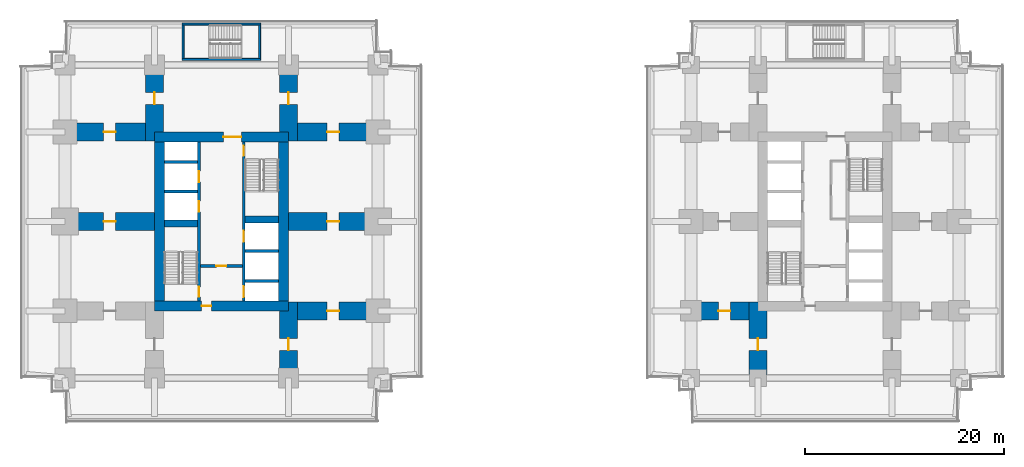
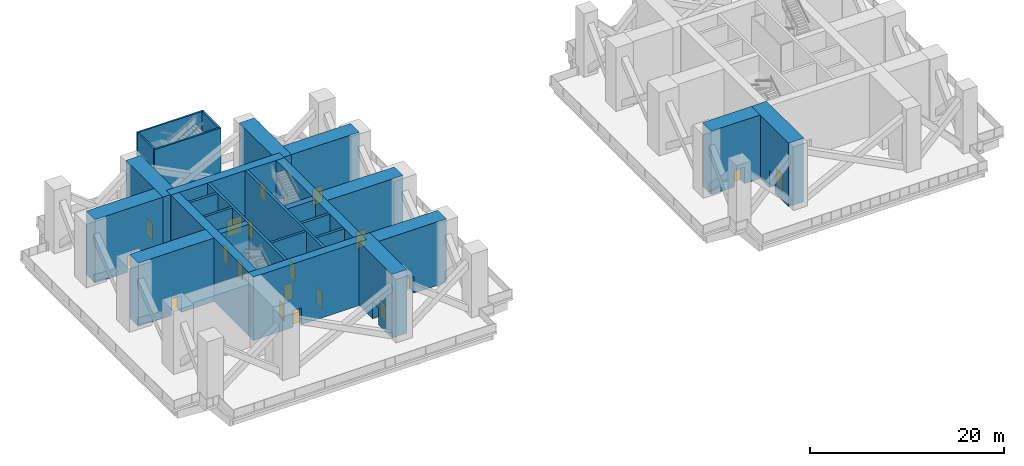
# One storey, part 4 of 12: 27 walls, 19 doors, 19 openings.
"""IFC4 building model written with IfcOpenShell, lengths in metres."""

from ifc_helpers import new_model, si_unit, direction, frame, frame_2d, origin, place, context, subcontext, project, spatial, rectangle, extrude, material, layer, layer_set, type_object, element, fill, save


model = new_model("IFC4")

# Units and contexts
model_context = context("Model", 3, precision=1e-05, world=origin(), true_north=direction((0.0, 1.0)))
body_context = subcontext(model_context, "Body", "Model", "MODEL_VIEW")
ifc_project = project(units=[si_unit("LENGTHUNIT", "METRE"), si_unit("AREAUNIT", "SQUARE_METRE"), si_unit("VOLUMEUNIT", "CUBIC_METRE"), si_unit("PLANEANGLEUNIT", "RADIAN"), si_unit("MASSUNIT", "GRAM", prefix="KILO")], contexts=[model_context])

# Site, building, storey
site_placement = place(None, origin())
site = spatial("IfcSite", under=ifc_project, at=site_placement, CompositionType="ELEMENT")
building_placement = place(site_placement, origin())
building = spatial("IfcBuilding", under=site, at=building_placement, Name="Namib Vertical Campus", CompositionType="ELEMENT")
storey_placement = place(building_placement, frame((0.0, 0.0, 77.0)))
storey = spatial("IfcBuildingStorey", under=building, at=storey_placement, Name="L18", CompositionType="ELEMENT", Elevation=77.0)

# Wall, openings, doors
ifc_material_1 = material(Name="Concrete C60/75", Category="concrete")
ifc_layer_1 = layer(ifc_material_1, 0.300048828125)
ifc_layer_set_1 = layer_set([ifc_layer_1], Name="Concrete C60/75")
wall_type_1 = type_object("IfcWallType", Name="Core inner wall 300", PredefinedType="SHEAR", material=ifc_layer_set_1)
wall_1_placement = place(storey_placement, frame((18.0, 12.25, 0.0), z_axis=(0.0, 0.0, 1.0), x_axis=(0.0, 1.0, 0.0)))
wall_1 = element("IfcWall", 1, at=wall_1_placement, inside=storey, type_object=wall_type_1, Name="Core inner wall A L18 W1", PredefinedType="SHEAR", context=body_context, shape_type="SweptSolid", body=[
    extrude(rectangle(XDim=16.0, YDim=0.300048828125, at=frame_2d((8.0, 0.0))), origin(), (0.0, 0.0, 1.0), 8.0),
])
opening_1_placement = place(wall_1_placement, frame((0.39990234375, 0.0, 0.0)))
opening_1 = element("IfcOpeningElement", 2, at=opening_1_placement, cuts=wall_1, Name="Opening FD1", PredefinedType="OPENING", context=body_context, shape_type="SweptSolid", body=[
    extrude(rectangle(XDim=1.0, YDim=2.10009765625, at=frame_2d((0.5, 1.050048828125))), frame((0.0, 0.159912109375, 0.0), z_axis=(0.0, -1.0, 0.0), x_axis=(1.0, 0.0, 0.0)), (0.0, 0.0, 1.0), 0.320068359375),
])
opening_2_placement = place(wall_1_placement, frame((8.949951171875, 0.0, 0.0)))
opening_2 = element("IfcOpeningElement", 3, at=opening_2_placement, cuts=wall_1, Name="Opening LD1", PredefinedType="OPENING", context=body_context, shape_type="SweptSolid", body=[
    extrude(rectangle(XDim=1.10009765625, YDim=2.10009765625, at=frame_2d((0.550048828125, 1.050048828125))), frame((0.0, 0.159912109375, 0.0), z_axis=(0.0, -1.0, 0.0), x_axis=(1.0, 0.0, 0.0)), (0.0, 0.0, 1.0), 0.320068359375),
])
opening_3_placement = place(wall_1_placement, frame((11.949951171875, 0.0, 0.0)))
opening_3 = element("IfcOpeningElement", 4, at=opening_3_placement, cuts=wall_1, Name="Opening LD1", PredefinedType="OPENING", context=body_context, shape_type="SweptSolid", body=[
    extrude(rectangle(XDim=1.10009765625, YDim=2.10009765625, at=frame_2d((0.550048828125, 1.050048828125))), frame((0.0, 0.159912109375, 0.0), z_axis=(0.0, -1.0, 0.0), x_axis=(1.0, 0.0, 0.0)), (0.0, 0.0, 1.0), 0.320068359375),
])
ifc_material_2 = material(Name="Steel fire door", Category="steel")
door_type_1 = type_object("IfcDoorType", Name="Fire door 1000x2100", OperationType="SINGLE_SWING_RIGHT", PredefinedType="DOOR", material=ifc_material_2)
door_1_placement = place(opening_1_placement, origin())
door_1 = element("IfcDoor", 5, at=door_1_placement, inside=storey, type_object=door_type_1, Name="Stair door FD1 A L18 S1", OperationType="SINGLE_SWING_LEFT", OverallHeight=2.10009765625, OverallWidth=1.0, PredefinedType="DOOR", context=body_context, shape_type="SweptSolid", body=[
    extrude(rectangle(XDim=1.0, YDim=2.10009765625, at=frame_2d((0.5, 1.050048828125))), frame((0.0, 0.02490234375, 0.0), z_axis=(0.0, -1.0, 0.0), x_axis=(1.0, 0.0, 0.0)), (0.0, 0.0, 1.0), 0.050048828125),
])
fill(opening_1, door_1)
ifc_material_3 = material(Name="Stainless steel lift door", Category="steel")
door_type_2 = type_object("IfcDoorType", Name="Lift landing door 1100x2100", OperationType="DOUBLE_DOOR_SLIDING", PredefinedType="DOOR", material=ifc_material_3)
door_2_placement = place(opening_2_placement, origin())
door_2 = element("IfcDoor", 6, at=door_2_placement, inside=storey, type_object=door_type_2, Name="Lift landing door LD1 A-P1 L18", OperationType="DOUBLE_DOOR_SLIDING", OverallHeight=2.10009765625, OverallWidth=1.10009765625, PredefinedType="DOOR", context=body_context, shape_type="SweptSolid", body=[
    extrude(rectangle(XDim=1.10009765625, YDim=2.10009765625, at=frame_2d((0.550048828125, 1.050048828125))), frame((0.0, 0.02490234375, 0.0), z_axis=(0.0, -1.0, 0.0), x_axis=(1.0, 0.0, 0.0)), (0.0, 0.0, 1.0), 0.050048828125),
])
fill(opening_2, door_2)
door_3_placement = place(opening_3_placement, origin())
door_3 = element("IfcDoor", 7, at=door_3_placement, inside=storey, type_object=door_type_2, Name="Lift landing door LD1 A-P2 L18", OperationType="DOUBLE_DOOR_SLIDING", OverallHeight=2.10009765625, OverallWidth=1.10009765625, PredefinedType="DOOR", context=body_context, shape_type="SweptSolid", body=[
    extrude(rectangle(XDim=1.10009765625, YDim=2.10009765625, at=frame_2d((0.550048828125, 1.050048828125))), frame((0.0, 0.02490234375, 0.0), z_axis=(0.0, -1.0, 0.0), x_axis=(1.0, 0.0, 0.0)), (0.0, 0.0, 1.0), 0.050048828125),
])
fill(opening_3, door_3)

wall_2_placement = place(storey_placement, frame((22.5, 12.25, 0.0), z_axis=(0.0, 0.0, 1.0), x_axis=(0.0, 1.0, 0.0)))
wall_2 = element("IfcWall", 8, at=wall_2_placement, inside=storey, type_object=wall_type_1, Name="Core inner wall A L18 W2", PredefinedType="SHEAR", context=body_context, shape_type="SweptSolid", body=[
    extrude(rectangle(XDim=16.0, YDim=0.300048828125, at=frame_2d((8.0, 0.0))), origin(), (0.0, 0.0, 1.0), 8.0),
])
opening_4_placement = place(wall_2_placement, frame((14.60009765625, 0.0, 0.0)))
opening_4 = element("IfcOpeningElement", 9, at=opening_4_placement, cuts=wall_2, Name="Opening FD1", PredefinedType="OPENING", context=body_context, shape_type="SweptSolid", body=[
    extrude(rectangle(XDim=1.0, YDim=2.10009765625, at=frame_2d((0.5, 1.050048828125))), frame((0.0, 0.159912109375, 0.0), z_axis=(0.0, -1.0, 0.0), x_axis=(1.0, 0.0, 0.0)), (0.0, 0.0, 1.0), 0.320068359375),
])
opening_5_placement = place(wall_2_placement, frame((0.375, 0.0, 0.0)))
opening_5 = element("IfcOpeningElement", 10, at=opening_5_placement, cuts=wall_2, Name="Opening LD1", PredefinedType="OPENING", context=body_context, shape_type="SweptSolid", body=[
    extrude(rectangle(XDim=1.10009765625, YDim=2.10009765625, at=frame_2d((0.550048828125, 1.050048828125))), frame((0.0, 0.159912109375, 0.0), z_axis=(0.0, -1.0, 0.0), x_axis=(1.0, 0.0, 0.0)), (0.0, 0.0, 1.0), 0.320068359375),
])
opening_6_placement = place(wall_2_placement, frame((5.949951171875, 0.0, 0.0)))
opening_6 = element("IfcOpeningElement", 11, at=opening_6_placement, cuts=wall_2, Name="Opening LD1", PredefinedType="OPENING", context=body_context, shape_type="SweptSolid", body=[
    extrude(rectangle(XDim=1.10009765625, YDim=2.10009765625, at=frame_2d((0.550048828125, 1.050048828125))), frame((0.0, 0.159912109375, 0.0), z_axis=(0.0, -1.0, 0.0), x_axis=(1.0, 0.0, 0.0)), (0.0, 0.0, 1.0), 0.320068359375),
])
door_4_placement = place(opening_4_placement, frame((1.0, 0.0, 0.0), z_axis=(0.0, 0.0, 1.0), x_axis=(-1.0, 0.0, 0.0)))
door_4 = element("IfcDoor", 12, at=door_4_placement, inside=storey, type_object=door_type_1, Name="Stair door FD1 A L18 S2", OperationType="SINGLE_SWING_LEFT", OverallHeight=2.10009765625, OverallWidth=1.0, PredefinedType="DOOR", context=body_context, shape_type="SweptSolid", body=[
    extrude(rectangle(XDim=1.0, YDim=2.10009765625, at=frame_2d((0.5, 1.050048828125))), frame((0.0, 0.02490234375, 0.0), z_axis=(0.0, -1.0, 0.0), x_axis=(1.0, 0.0, 0.0)), (0.0, 0.0, 1.0), 0.050048828125),
])
fill(opening_4, door_4)
door_5_placement = place(opening_5_placement, origin())
door_5 = element("IfcDoor", 13, at=door_5_placement, inside=storey, type_object=door_type_2, Name="Lift landing door LD1 A-FL1 L18", OperationType="DOUBLE_DOOR_SLIDING", OverallHeight=2.10009765625, OverallWidth=1.10009765625, PredefinedType="DOOR", context=body_context, shape_type="SweptSolid", body=[
    extrude(rectangle(XDim=1.10009765625, YDim=2.10009765625, at=frame_2d((0.550048828125, 1.050048828125))), frame((0.0, 0.02490234375, 0.0), z_axis=(0.0, -1.0, 0.0), x_axis=(1.0, 0.0, 0.0)), (0.0, 0.0, 1.0), 0.050048828125),
])
fill(opening_5, door_5)
door_6_placement = place(opening_6_placement, origin())
door_6 = element("IfcDoor", 14, at=door_6_placement, inside=storey, type_object=door_type_2, Name="Lift landing door LD1 A-P5 L18", OperationType="DOUBLE_DOOR_SLIDING", OverallHeight=2.10009765625, OverallWidth=1.10009765625, PredefinedType="DOOR", context=body_context, shape_type="SweptSolid", body=[
    extrude(rectangle(XDim=1.10009765625, YDim=2.10009765625, at=frame_2d((0.550048828125, 1.050048828125))), frame((0.0, 0.02490234375, 0.0), z_axis=(0.0, -1.0, 0.0), x_axis=(1.0, 0.0, 0.0)), (0.0, 0.0, 1.0), 0.050048828125),
])
fill(opening_6, door_6)

# Wall, opening, door
wall_3_placement = place(storey_placement, frame((18.14990234375, 15.75, 0.0), z_axis=(0.0, 0.0, 1.0), x_axis=(1.0, 0.0, 0.0)))
wall_3 = element("IfcWall", 15, at=wall_3_placement, inside=storey, type_object=wall_type_1, Name="Core inner wall A L18 W4", PredefinedType="SHEAR", context=body_context, shape_type="SweptSolid", body=[
    extrude(rectangle(XDim=4.2001953125, YDim=0.300048828125, at=frame_2d((2.10009765625, 0.0))), origin(), (0.0, 0.0, 1.0), 8.0),
])
opening_7_placement = place(wall_3_placement, frame((1.60009765625, 0.0, 0.0)))
opening_7 = element("IfcOpeningElement", 16, at=opening_7_placement, cuts=wall_3, Name="Opening FD5", PredefinedType="OPENING", context=body_context, shape_type="SweptSolid", body=[
    extrude(rectangle(XDim=1.0, YDim=2.10009765625, at=frame_2d((0.5, 1.050048828125))), frame((0.0, 0.159912109375, 0.0), z_axis=(0.0, -1.0, 0.0), x_axis=(1.0, 0.0, 0.0)), (0.0, 0.0, 1.0), 0.320068359375),
])
ifc_material_4 = material(Name="Steel fire door", Category="steel")
door_type_3 = type_object("IfcDoorType", Name="Fire door 1000x2100 120 min", OperationType="SINGLE_SWING_RIGHT", PredefinedType="DOOR", material=ifc_material_4)
door_7_placement = place(opening_7_placement, frame((1.0, 0.0, 0.0), z_axis=(0.0, 0.0, 1.0), x_axis=(-1.0, 0.0, 0.0)))
door_7 = element("IfcDoor", 17, at=door_7_placement, inside=storey, type_object=door_type_3, Name="Lobby door FD5 A L18", OperationType="SINGLE_SWING_RIGHT", OverallHeight=2.10009765625, OverallWidth=1.0, PredefinedType="DOOR", context=body_context, shape_type="SweptSolid", body=[
    extrude(rectangle(XDim=1.0, YDim=2.10009765625, at=frame_2d((0.5, 1.050048828125))), frame((0.0, 0.02490234375, 0.0), z_axis=(0.0, -1.0, 0.0), x_axis=(1.0, 0.0, 0.0)), (0.0, 0.0, 1.0), 0.050048828125),
])
fill(opening_7, door_7)

# Walls
for number, where, z_axis, x_axis, name in (
    (18, (22.64990234375, 14.25, 0.0), (0.0, 0.0, 1.0), (1.0, 0.0, 0.0), "Core inner wall A L18 W5"),
    (19, (22.64990234375, 17.25, 0.0), (0.0, 0.0, 1.0), (1.0, 0.0, 0.0), "Core inner wall A L18 W6"),
    (20, (14.5, 23.25, 0.0), (0.0, 0.0, 1.0), (1.0, 0.0, 0.0), "Core inner wall A L18 W8"),
    (21, (14.5, 26.25, 0.0), (0.0, 0.0, 1.0), (1.0, 0.0, 0.0), "Core inner wall A L18 W9"),
):
    element("IfcWall", number, at=place(storey_placement, frame(where, z_axis=z_axis, x_axis=x_axis)), inside=storey, type_object=wall_type_1, Name=name, PredefinedType="SHEAR", context=body_context, shape_type="SweptSolid", body=[
        extrude(rectangle(XDim=3.35009765625, YDim=0.300048828125, at=frame_2d((1.675048828125, 0.0))), origin(), (0.0, 0.0, 1.0), 8.0),
    ])
ifc_material_5 = material(Name="Concrete C60/75", Category="concrete")
ifc_layer_2 = layer(ifc_material_5, 0.699951171875)
ifc_layer_set_2 = layer_set([ifc_layer_2], Name="Concrete C60/75")
wall_type_2 = type_object("IfcWallType", Name="Core shear wall 700", PredefinedType="SHEAR", material=ifc_layer_set_2)
for number, where, z_axis, x_axis, name in (
    (22, (14.5, 20.050048828125, 0.0), (0.0, 0.0, 1.0), (1.0, 0.0, 0.0), "Core shear wall A L18 W3"),
    (23, (22.64990234375, 20.449951171875, 0.0), (0.0, 0.0, 1.0), (1.0, 0.0, 0.0), "Core shear wall A L18 W7"),
):
    element("IfcWall", number, at=place(storey_placement, frame(where, z_axis=z_axis, x_axis=x_axis)), inside=storey, type_object=wall_type_2, Name=name, PredefinedType="SHEAR", context=body_context, shape_type="SweptSolid", body=[
        extrude(rectangle(XDim=3.35009765625, YDim=0.699951171875, at=frame_2d((1.675048828125, 0.0))), origin(), (0.0, 0.0, 1.0), 8.0),
    ])

# Wall, opening, door
ifc_material_6 = material(Name="Concrete C60/75", Category="concrete")
ifc_layer_3 = layer(ifc_material_6, 1.0)
ifc_layer_set_3 = layer_set([ifc_layer_3], Name="Concrete C60/75")
wall_type_3 = type_object("IfcWallType", Name="Core wall 1000", PredefinedType="SHEAR", material=ifc_layer_set_3)
wall_4_placement = place(storey_placement, frame((13.5, 11.75, 0.0), z_axis=(0.0, 0.0, 1.0), x_axis=(1.0, 0.0, 0.0)))
wall_4 = element("IfcWall", 24, at=wall_4_placement, inside=storey, type_object=wall_type_3, Name="Core wall A L18 1", PredefinedType="SHEAR", context=body_context, shape_type="SweptSolid", body=[
    extrude(rectangle(XDim=13.5, YDim=1.0, at=frame_2d((6.75, 0.0))), origin(), (0.0, 0.0, 1.0), 8.0),
])
opening_8_placement = place(wall_4_placement, frame((4.75, 0.0, 0.0)))
opening_8 = element("IfcOpeningElement", 25, at=opening_8_placement, cuts=wall_4, Name="Opening FD5", PredefinedType="OPENING", context=body_context, shape_type="SweptSolid", body=[
    extrude(rectangle(XDim=1.0, YDim=2.10009765625, at=frame_2d((0.5, 1.050048828125))), frame((0.0, 0.510009765625, 0.0), z_axis=(0.0, -1.0, 0.0), x_axis=(1.0, 0.0, 0.0)), (0.0, 0.0, 1.0), 1.02001953125),
])
door_8_placement = place(opening_8_placement, frame((1.0, 0.0, 0.0), z_axis=(0.0, 0.0, 1.0), x_axis=(-1.0, 0.0, 0.0)))
door_8 = element("IfcDoor", 26, at=door_8_placement, inside=storey, type_object=door_type_3, Name="Firefighting lobby door FD5 A L18", OperationType="SINGLE_SWING_LEFT", OverallHeight=2.10009765625, OverallWidth=1.0, PredefinedType="DOOR", context=body_context, shape_type="SweptSolid", body=[
    extrude(rectangle(XDim=1.0, YDim=2.10009765625, at=frame_2d((0.5, 1.050048828125))), frame((0.0, 0.02490234375, 0.0), z_axis=(0.0, -1.0, 0.0), x_axis=(1.0, 0.0, 0.0)), (0.0, 0.0, 1.0), 0.050048828125),
])
fill(opening_8, door_8)

# Wall
wall_5_placement = place(storey_placement, frame((26.5, 12.25, 0.0), z_axis=(0.0, 0.0, 1.0), x_axis=(0.0, 1.0, 0.0)))
element("IfcWall", 27, at=wall_5_placement, inside=storey, type_object=wall_type_3, Name="Core wall A L18 2", PredefinedType="SHEAR", context=body_context, shape_type="SweptSolid", body=[
    extrude(rectangle(XDim=16.0, YDim=1.0, at=frame_2d((8.0, 0.0))), origin(), (0.0, 0.0, 1.0), 8.0),
])

# Wall, opening, door
wall_6_placement = place(storey_placement, frame((27.0, 28.75, 0.0), z_axis=(0.0, 0.0, 1.0), x_axis=(-1.0, 0.0, 0.0)))
wall_6 = element("IfcWall", 28, at=wall_6_placement, inside=storey, type_object=wall_type_3, Name="Core wall A L18 3", PredefinedType="SHEAR", context=body_context, shape_type="SweptSolid", body=[
    extrude(rectangle(XDim=13.5, YDim=1.0, at=frame_2d((6.75, 0.0))), origin(), (0.0, 0.0, 1.0), 8.0),
])
opening_9_placement = place(wall_6_placement, frame((4.75, 0.0, 0.0)))
opening_9 = element("IfcOpeningElement", 29, at=opening_9_placement, cuts=wall_6, Name="Opening FD2", PredefinedType="OPENING", context=body_context, shape_type="SweptSolid", body=[
    extrude(rectangle(XDim=1.800048828125, YDim=2.10009765625, at=frame_2d((0.89990234375, 1.050048828125))), frame((0.0, 0.510009765625, 0.0), z_axis=(0.0, -1.0, 0.0), x_axis=(1.0, 0.0, 0.0)), (0.0, 0.0, 1.0), 1.02001953125),
])
ifc_material_7 = material(Name="Steel fire door", Category="steel")
door_type_4 = type_object("IfcDoorType", Name="Fire door double 1800x2100", OperationType="DOUBLE_DOOR_SINGLE_SWING", PredefinedType="DOOR", material=ifc_material_7)
door_9_placement = place(opening_9_placement, frame((1.800048828125, 0.0, 0.0), z_axis=(0.0, 0.0, 1.0), x_axis=(-1.0, 0.0, 0.0)))
door_9 = element("IfcDoor", 30, at=door_9_placement, inside=storey, type_object=door_type_4, Name="Lift lobby door FD2 A L18", OperationType="DOUBLE_DOOR_SINGLE_SWING", OverallHeight=2.10009765625, OverallWidth=1.800048828125, PredefinedType="DOOR", context=body_context, shape_type="SweptSolid", body=[
    extrude(rectangle(XDim=1.800048828125, YDim=2.10009765625, at=frame_2d((0.89990234375, 1.050048828125))), frame((0.0, 0.02490234375, 0.0), z_axis=(0.0, -1.0, 0.0), x_axis=(1.0, 0.0, 0.0)), (0.0, 0.0, 1.0), 0.050048828125),
])
fill(opening_9, door_9)

# Wall
wall_7_placement = place(storey_placement, frame((14.0, 28.25, 0.0), z_axis=(0.0, 0.0, 1.0), x_axis=(0.0, -1.0, 0.0)))
element("IfcWall", 31, at=wall_7_placement, inside=storey, type_object=wall_type_3, Name="Core wall A L18 4", PredefinedType="SHEAR", context=body_context, shape_type="SweptSolid", body=[
    extrude(rectangle(XDim=16.0, YDim=1.0, at=frame_2d((8.0, 0.0))), origin(), (0.0, 0.0, 1.0), 8.0),
])

# Wall, opening, door
ifc_material_8 = material(Name="Concrete C60/75", Category="concrete")
ifc_layer_4 = layer(ifc_material_8, 1.800048828125)
ifc_layer_set_4 = layer_set([ifc_layer_4], Name="Concrete C60/75")
wall_type_4 = type_object("IfcWallType", Name="Outrigger wall 1800", PredefinedType="SHEAR", material=ifc_layer_set_4)
wall_8_placement = place(storey_placement, frame((27.0, 4.5, 0.0), z_axis=(0.0, 0.0, 1.0), x_axis=(0.0, 1.0, 0.0)))
wall_8 = element("IfcWall", 32, at=wall_8_placement, inside=storey, type_object=wall_type_4, Name="Outrigger wall A L18 OR2", PredefinedType="SHEAR", context=body_context, shape_type="SweptSolid", body=[
    extrude(rectangle(XDim=7.64990234375, YDim=1.800048828125, at=frame_2d((3.824951171875, 0.0))), origin(), (0.0, 0.0, 1.0), 8.0),
])
opening_10_placement = place(wall_8_placement, frame((2.77490234375, 0.0, 0.0)))
opening_10 = element("IfcOpeningElement", 33, at=opening_10_placement, cuts=wall_8, Name="Opening RD1", PredefinedType="OPENING", context=body_context, shape_type="SweptSolid", body=[
    extrude(rectangle(XDim=1.199951171875, YDim=2.10009765625, at=frame_2d((0.60009765625, 1.050048828125))), frame((0.0, 0.909912109375, 0.0), z_axis=(0.0, -1.0, 0.0), x_axis=(1.0, 0.0, 0.0)), (0.0, 0.0, 1.0), 1.820068359375),
])
ifc_material_9 = material(Name="Steel fire door", Category="steel")
door_type_5 = type_object("IfcDoorType", Name="Refuge door 1200x2100", OperationType="DOUBLE_DOOR_DOUBLE_SWING", PredefinedType="DOOR", material=ifc_material_9)
door_10_placement = place(opening_10_placement, origin())
door_10 = element("IfcDoor", 34, at=door_10_placement, inside=storey, type_object=door_type_5, Name="Refuge door RD1 A L18 OR2", OperationType="DOUBLE_DOOR_DOUBLE_SWING", OverallHeight=2.10009765625, OverallWidth=1.199951171875, PredefinedType="DOOR", context=body_context, shape_type="SweptSolid", body=[
    extrude(rectangle(XDim=1.199951171875, YDim=2.10009765625, at=frame_2d((0.60009765625, 1.050048828125))), frame((0.0, 0.02490234375, 0.0), z_axis=(0.0, -1.0, 0.0), x_axis=(1.0, 0.0, 0.0)), (0.0, 0.0, 1.0), 0.050048828125),
])
fill(opening_10, door_10)

wall_9_placement = place(storey_placement, frame((13.5, 28.35009765625, 0.0), z_axis=(0.0, 0.0, 1.0), x_axis=(0.0, 1.0, 0.0)))
wall_9 = element("IfcWall", 35, at=wall_9_placement, inside=storey, type_object=wall_type_4, Name="Outrigger wall A L18 OR3", PredefinedType="SHEAR", context=body_context, shape_type="SweptSolid", body=[
    extrude(rectangle(XDim=7.64990234375, YDim=1.800048828125, at=frame_2d((3.824951171875, 0.0))), origin(), (0.0, 0.0, 1.0), 8.0),
])
opening_11_placement = place(wall_9_placement, frame((3.675048828125, 0.0, 0.0)))
opening_11 = element("IfcOpeningElement", 36, at=opening_11_placement, cuts=wall_9, Name="Opening RD1", PredefinedType="OPENING", context=body_context, shape_type="SweptSolid", body=[
    extrude(rectangle(XDim=1.199951171875, YDim=2.10009765625, at=frame_2d((0.60009765625, 1.050048828125))), frame((0.0, 0.909912109375, 0.0), z_axis=(0.0, -1.0, 0.0), x_axis=(1.0, 0.0, 0.0)), (0.0, 0.0, 1.0), 1.820068359375),
])
door_11_placement = place(opening_11_placement, origin())
door_11 = element("IfcDoor", 37, at=door_11_placement, inside=storey, type_object=door_type_5, Name="Refuge door RD1 A L18 OR3", OperationType="DOUBLE_DOOR_DOUBLE_SWING", OverallHeight=2.10009765625, OverallWidth=1.199951171875, PredefinedType="DOOR", context=body_context, shape_type="SweptSolid", body=[
    extrude(rectangle(XDim=1.199951171875, YDim=2.10009765625, at=frame_2d((0.60009765625, 1.050048828125))), frame((0.0, 0.02490234375, 0.0), z_axis=(0.0, -1.0, 0.0), x_axis=(1.0, 0.0, 0.0)), (0.0, 0.0, 1.0), 0.050048828125),
])
fill(opening_11, door_11)

wall_10_placement = place(storey_placement, frame((27.0, 28.35009765625, 0.0), z_axis=(0.0, 0.0, 1.0), x_axis=(0.0, 1.0, 0.0)))
wall_10 = element("IfcWall", 38, at=wall_10_placement, inside=storey, type_object=wall_type_4, Name="Outrigger wall A L18 OR4", PredefinedType="SHEAR", context=body_context, shape_type="SweptSolid", body=[
    extrude(rectangle(XDim=7.64990234375, YDim=1.800048828125, at=frame_2d((3.824951171875, 0.0))), origin(), (0.0, 0.0, 1.0), 8.0),
])
opening_12_placement = place(wall_10_placement, frame((3.675048828125, 0.0, 0.0)))
opening_12 = element("IfcOpeningElement", 39, at=opening_12_placement, cuts=wall_10, Name="Opening RD1", PredefinedType="OPENING", context=body_context, shape_type="SweptSolid", body=[
    extrude(rectangle(XDim=1.199951171875, YDim=2.10009765625, at=frame_2d((0.60009765625, 1.050048828125))), frame((0.0, 0.909912109375, 0.0), z_axis=(0.0, -1.0, 0.0), x_axis=(1.0, 0.0, 0.0)), (0.0, 0.0, 1.0), 1.820068359375),
])
door_12_placement = place(opening_12_placement, origin())
door_12 = element("IfcDoor", 40, at=door_12_placement, inside=storey, type_object=door_type_5, Name="Refuge door RD1 A L18 OR4", OperationType="DOUBLE_DOOR_DOUBLE_SWING", OverallHeight=2.10009765625, OverallWidth=1.199951171875, PredefinedType="DOOR", context=body_context, shape_type="SweptSolid", body=[
    extrude(rectangle(XDim=1.199951171875, YDim=2.10009765625, at=frame_2d((0.60009765625, 1.050048828125))), frame((0.0, 0.02490234375, 0.0), z_axis=(0.0, -1.0, 0.0), x_axis=(1.0, 0.0, 0.0)), (0.0, 0.0, 1.0), 0.050048828125),
])
fill(opening_12, door_12)

wall_11_placement = place(storey_placement, frame((4.5, 20.25, 0.0), z_axis=(0.0, 0.0, 1.0), x_axis=(1.0, 0.0, 0.0)))
wall_11 = element("IfcWall", 41, at=wall_11_placement, inside=storey, type_object=wall_type_4, Name="Outrigger wall A L18 OR5", PredefinedType="SHEAR", context=body_context, shape_type="SweptSolid", body=[
    extrude(rectangle(XDim=9.0, YDim=1.800048828125, at=frame_2d((4.5, 0.0))), origin(), (0.0, 0.0, 1.0), 8.0),
])
opening_13_placement = place(wall_11_placement, frame((3.89990234375, 0.0, 0.0)))
opening_13 = element("IfcOpeningElement", 42, at=opening_13_placement, cuts=wall_11, Name="Opening RD1", PredefinedType="OPENING", context=body_context, shape_type="SweptSolid", body=[
    extrude(rectangle(XDim=1.199951171875, YDim=2.10009765625, at=frame_2d((0.60009765625, 1.050048828125))), frame((0.0, 0.909912109375, 0.0), z_axis=(0.0, -1.0, 0.0), x_axis=(1.0, 0.0, 0.0)), (0.0, 0.0, 1.0), 1.820068359375),
])
door_13_placement = place(opening_13_placement, origin())
door_13 = element("IfcDoor", 43, at=door_13_placement, inside=storey, type_object=door_type_5, Name="Refuge door RD1 A L18 OR5", OperationType="DOUBLE_DOOR_DOUBLE_SWING", OverallHeight=2.10009765625, OverallWidth=1.199951171875, PredefinedType="DOOR", context=body_context, shape_type="SweptSolid", body=[
    extrude(rectangle(XDim=1.199951171875, YDim=2.10009765625, at=frame_2d((0.60009765625, 1.050048828125))), frame((0.0, 0.02490234375, 0.0), z_axis=(0.0, -1.0, 0.0), x_axis=(1.0, 0.0, 0.0)), (0.0, 0.0, 1.0), 0.050048828125),
])
fill(opening_13, door_13)

wall_12_placement = place(storey_placement, frame((27.0, 20.25, 0.0), z_axis=(0.0, 0.0, 1.0), x_axis=(1.0, 0.0, 0.0)))
wall_12 = element("IfcWall", 44, at=wall_12_placement, inside=storey, type_object=wall_type_4, Name="Outrigger wall A L18 OR6", PredefinedType="SHEAR", context=body_context, shape_type="SweptSolid", body=[
    extrude(rectangle(XDim=9.0, YDim=1.800048828125, at=frame_2d((4.5, 0.0))), origin(), (0.0, 0.0, 1.0), 8.0),
])
opening_14_placement = place(wall_12_placement, frame((3.89990234375, 0.0, 0.0)))
opening_14 = element("IfcOpeningElement", 45, at=opening_14_placement, cuts=wall_12, Name="Opening RD1", PredefinedType="OPENING", context=body_context, shape_type="SweptSolid", body=[
    extrude(rectangle(XDim=1.199951171875, YDim=2.10009765625, at=frame_2d((0.60009765625, 1.050048828125))), frame((0.0, 0.909912109375, 0.0), z_axis=(0.0, -1.0, 0.0), x_axis=(1.0, 0.0, 0.0)), (0.0, 0.0, 1.0), 1.820068359375),
])
door_14_placement = place(opening_14_placement, origin())
door_14 = element("IfcDoor", 46, at=door_14_placement, inside=storey, type_object=door_type_5, Name="Refuge door RD1 A L18 OR6", OperationType="DOUBLE_DOOR_DOUBLE_SWING", OverallHeight=2.10009765625, OverallWidth=1.199951171875, PredefinedType="DOOR", context=body_context, shape_type="SweptSolid", body=[
    extrude(rectangle(XDim=1.199951171875, YDim=2.10009765625, at=frame_2d((0.60009765625, 1.050048828125))), frame((0.0, 0.02490234375, 0.0), z_axis=(0.0, -1.0, 0.0), x_axis=(1.0, 0.0, 0.0)), (0.0, 0.0, 1.0), 0.050048828125),
])
fill(opening_14, door_14)

wall_13_placement = place(storey_placement, frame((27.89990234375, 11.25, 0.0), z_axis=(0.0, 0.0, 1.0), x_axis=(1.0, 0.0, 0.0)))
wall_13 = element("IfcWall", 47, at=wall_13_placement, inside=storey, type_object=wall_type_4, Name="Outrigger wall A L18 OR8", PredefinedType="SHEAR", context=body_context, shape_type="SweptSolid", body=[
    extrude(rectangle(XDim=8.10009765625, YDim=1.800048828125, at=frame_2d((4.050048828125, 0.0))), origin(), (0.0, 0.0, 1.0), 8.0),
])
opening_15_placement = place(wall_13_placement, frame((3.0, 0.0, 0.0)))
opening_15 = element("IfcOpeningElement", 48, at=opening_15_placement, cuts=wall_13, Name="Opening RD1", PredefinedType="OPENING", context=body_context, shape_type="SweptSolid", body=[
    extrude(rectangle(XDim=1.199951171875, YDim=2.10009765625, at=frame_2d((0.60009765625, 1.050048828125))), frame((0.0, 0.909912109375, 0.0), z_axis=(0.0, -1.0, 0.0), x_axis=(1.0, 0.0, 0.0)), (0.0, 0.0, 1.0), 1.820068359375),
])
door_15_placement = place(opening_15_placement, origin())
door_15 = element("IfcDoor", 49, at=door_15_placement, inside=storey, type_object=door_type_5, Name="Refuge door RD1 A L18 OR8", OperationType="DOUBLE_DOOR_DOUBLE_SWING", OverallHeight=2.10009765625, OverallWidth=1.199951171875, PredefinedType="DOOR", context=body_context, shape_type="SweptSolid", body=[
    extrude(rectangle(XDim=1.199951171875, YDim=2.10009765625, at=frame_2d((0.60009765625, 1.050048828125))), frame((0.0, 0.02490234375, 0.0), z_axis=(0.0, -1.0, 0.0), x_axis=(1.0, 0.0, 0.0)), (0.0, 0.0, 1.0), 0.050048828125),
])
fill(opening_15, door_15)

wall_14_placement = place(storey_placement, frame((4.5, 29.25, 0.0), z_axis=(0.0, 0.0, 1.0), x_axis=(1.0, 0.0, 0.0)))
wall_14 = element("IfcWall", 50, at=wall_14_placement, inside=storey, type_object=wall_type_4, Name="Outrigger wall A L18 OR9", PredefinedType="SHEAR", context=body_context, shape_type="SweptSolid", body=[
    extrude(rectangle(XDim=8.10009765625, YDim=1.800048828125, at=frame_2d((4.050048828125, 0.0))), origin(), (0.0, 0.0, 1.0), 8.0),
])
opening_16_placement = place(wall_14_placement, frame((3.89990234375, 0.0, 0.0)))
opening_16 = element("IfcOpeningElement", 51, at=opening_16_placement, cuts=wall_14, Name="Opening RD1", PredefinedType="OPENING", context=body_context, shape_type="SweptSolid", body=[
    extrude(rectangle(XDim=1.199951171875, YDim=2.10009765625, at=frame_2d((0.60009765625, 1.050048828125))), frame((0.0, 0.909912109375, 0.0), z_axis=(0.0, -1.0, 0.0), x_axis=(1.0, 0.0, 0.0)), (0.0, 0.0, 1.0), 1.820068359375),
])
door_16_placement = place(opening_16_placement, origin())
door_16 = element("IfcDoor", 52, at=door_16_placement, inside=storey, type_object=door_type_5, Name="Refuge door RD1 A L18 OR9", OperationType="DOUBLE_DOOR_DOUBLE_SWING", OverallHeight=2.10009765625, OverallWidth=1.199951171875, PredefinedType="DOOR", context=body_context, shape_type="SweptSolid", body=[
    extrude(rectangle(XDim=1.199951171875, YDim=2.10009765625, at=frame_2d((0.60009765625, 1.050048828125))), frame((0.0, 0.02490234375, 0.0), z_axis=(0.0, -1.0, 0.0), x_axis=(1.0, 0.0, 0.0)), (0.0, 0.0, 1.0), 0.050048828125),
])
fill(opening_16, door_16)

wall_15_placement = place(storey_placement, frame((27.89990234375, 29.25, 0.0), z_axis=(0.0, 0.0, 1.0), x_axis=(1.0, 0.0, 0.0)))
wall_15 = element("IfcWall", 53, at=wall_15_placement, inside=storey, type_object=wall_type_4, Name="Outrigger wall A L18 OR10", PredefinedType="SHEAR", context=body_context, shape_type="SweptSolid", body=[
    extrude(rectangle(XDim=8.10009765625, YDim=1.800048828125, at=frame_2d((4.050048828125, 0.0))), origin(), (0.0, 0.0, 1.0), 8.0),
])
opening_17_placement = place(wall_15_placement, frame((3.0, 0.0, 0.0)))
opening_17 = element("IfcOpeningElement", 54, at=opening_17_placement, cuts=wall_15, Name="Opening RD1", PredefinedType="OPENING", context=body_context, shape_type="SweptSolid", body=[
    extrude(rectangle(XDim=1.199951171875, YDim=2.10009765625, at=frame_2d((0.60009765625, 1.050048828125))), frame((0.0, 0.909912109375, 0.0), z_axis=(0.0, -1.0, 0.0), x_axis=(1.0, 0.0, 0.0)), (0.0, 0.0, 1.0), 1.820068359375),
])
door_17_placement = place(opening_17_placement, origin())
door_17 = element("IfcDoor", 55, at=door_17_placement, inside=storey, type_object=door_type_5, Name="Refuge door RD1 A L18 OR10", OperationType="DOUBLE_DOOR_DOUBLE_SWING", OverallHeight=2.10009765625, OverallWidth=1.199951171875, PredefinedType="DOOR", context=body_context, shape_type="SweptSolid", body=[
    extrude(rectangle(XDim=1.199951171875, YDim=2.10009765625, at=frame_2d((0.60009765625, 1.050048828125))), frame((0.0, 0.02490234375, 0.0), z_axis=(0.0, -1.0, 0.0), x_axis=(1.0, 0.0, 0.0)), (0.0, 0.0, 1.0), 0.050048828125),
])
fill(opening_17, door_17)

wall_16_placement = place(storey_placement, frame((74.25, 4.5, 0.0), z_axis=(0.0, 0.0, 1.0), x_axis=(0.0, 1.0, 0.0)))
wall_16 = element("IfcWall", 56, at=wall_16_placement, inside=storey, type_object=wall_type_4, Name="Outrigger wall B L18 OR1", PredefinedType="SHEAR", context=body_context, shape_type="SweptSolid", body=[
    extrude(rectangle(XDim=7.64990234375, YDim=1.800048828125, at=frame_2d((3.824951171875, 0.0))), origin(), (0.0, 0.0, 1.0), 8.0),
])
opening_18_placement = place(wall_16_placement, frame((2.77490234375, 0.0, 0.0)))
opening_18 = element("IfcOpeningElement", 57, at=opening_18_placement, cuts=wall_16, Name="Opening RD1", PredefinedType="OPENING", context=body_context, shape_type="SweptSolid", body=[
    extrude(rectangle(XDim=1.199951171875, YDim=2.10009765625, at=frame_2d((0.60009765625, 1.050048828125))), frame((0.0, 0.909912109375, 0.0), z_axis=(0.0, -1.0, 0.0), x_axis=(1.0, 0.0, 0.0)), (0.0, 0.0, 1.0), 1.820068359375),
])
door_18_placement = place(opening_18_placement, origin())
door_18 = element("IfcDoor", 58, at=door_18_placement, inside=storey, type_object=door_type_5, Name="Refuge door RD1 B L18 OR1", OperationType="DOUBLE_DOOR_DOUBLE_SWING", OverallHeight=2.10009765625, OverallWidth=1.199951171875, PredefinedType="DOOR", context=body_context, shape_type="SweptSolid", body=[
    extrude(rectangle(XDim=1.199951171875, YDim=2.10009765625, at=frame_2d((0.60009765625, 1.050048828125))), frame((0.0, 0.02490234375, 0.0), z_axis=(0.0, -1.0, 0.0), x_axis=(1.0, 0.0, 0.0)), (0.0, 0.0, 1.0), 0.050048828125),
])
fill(opening_18, door_18)

wall_17_placement = place(storey_placement, frame((67.5, 11.25, 0.0), z_axis=(0.0, 0.0, 1.0), x_axis=(1.0, 0.0, 0.0)))
wall_17 = element("IfcWall", 59, at=wall_17_placement, inside=storey, type_object=wall_type_4, Name="Outrigger wall B L18 OR7", PredefinedType="SHEAR", context=body_context, shape_type="SweptSolid", body=[
    extrude(rectangle(XDim=5.85009765625, YDim=1.800048828125, at=frame_2d((2.925048828125, 0.0))), origin(), (0.0, 0.0, 1.0), 8.0),
])
opening_19_placement = place(wall_17_placement, frame((2.77490234375, 0.0, 0.0)))
opening_19 = element("IfcOpeningElement", 60, at=opening_19_placement, cuts=wall_17, Name="Opening RD1", PredefinedType="OPENING", context=body_context, shape_type="SweptSolid", body=[
    extrude(rectangle(XDim=1.199951171875, YDim=2.10009765625, at=frame_2d((0.60009765625, 1.050048828125))), frame((0.0, 0.909912109375, 0.0), z_axis=(0.0, -1.0, 0.0), x_axis=(1.0, 0.0, 0.0)), (0.0, 0.0, 1.0), 1.820068359375),
])
door_19_placement = place(opening_19_placement, origin())
door_19 = element("IfcDoor", 61, at=door_19_placement, inside=storey, type_object=door_type_5, Name="Refuge door RD1 B L18 OR7", OperationType="DOUBLE_DOOR_DOUBLE_SWING", OverallHeight=2.10009765625, OverallWidth=1.199951171875, PredefinedType="DOOR", context=body_context, shape_type="SweptSolid", body=[
    extrude(rectangle(XDim=1.199951171875, YDim=2.10009765625, at=frame_2d((0.60009765625, 1.050048828125))), frame((0.0, 0.02490234375, 0.0), z_axis=(0.0, -1.0, 0.0), x_axis=(1.0, 0.0, 0.0)), (0.0, 0.0, 1.0), 0.050048828125),
])
fill(opening_19, door_19)

# Walls
ifc_material_10 = material(Name="Concrete C40/50", Category="concrete")
ifc_layer_5 = layer(ifc_material_10, 0.199951171875)
ifc_layer_set_5 = layer_set([ifc_layer_5], Name="Concrete C40/50")
wall_type_5 = type_object("IfcWallType", Name="Stair enclosure wall RC 200", PredefinedType="SOLIDWALL", material=ifc_layer_set_5)
for number, where, z_axis, x_axis, name in (
    (62, (16.300048828125, 36.550048828125, 0.0), (0.0, 0.0, 1.0), (1.0, 0.0, 0.0), "Stair enclosure wall A-S3 L18 S"),
    (63, (16.300048828125, 40.10009765625, 0.0), (0.0, 0.0, 1.0), (1.0, 0.0, 0.0), "Stair enclosure wall A-S3 L18 N"),
):
    element("IfcWall", number, at=place(storey_placement, frame(where, z_axis=z_axis, x_axis=x_axis)), inside=storey, type_object=wall_type_5, Name=name, PredefinedType="SOLIDWALL", context=body_context, shape_type="SweptSolid", body=[
        extrude(rectangle(XDim=7.89990234375, YDim=0.199951171875, at=frame_2d((3.949951171875, 0.0))), origin(), (0.0, 0.0, 1.0), 7.75),
    ])
for number, where, z_axis, x_axis, name in (
    (64, (16.39990234375, 36.64990234375, 0.0), (0.0, 0.0, 1.0), (0.0, 1.0, 0.0), "Stair enclosure wall A-S3 L18 W"),
    (65, (24.10009765625, 36.64990234375, 0.0), (0.0, 0.0, 1.0), (0.0, 1.0, 0.0), "Stair enclosure wall A-S3 L18 E"),
):
    element("IfcWall", number, at=place(storey_placement, frame(where, z_axis=z_axis, x_axis=x_axis)), inside=storey, type_object=wall_type_5, Name=name, PredefinedType="SOLIDWALL", context=body_context, shape_type="SweptSolid", body=[
        extrude(rectangle(XDim=3.35009765625, YDim=0.199951171875, at=frame_2d((1.675048828125, 0.0))), origin(), (0.0, 0.0, 1.0), 7.75),
    ])

save(model, "model.ifc")
